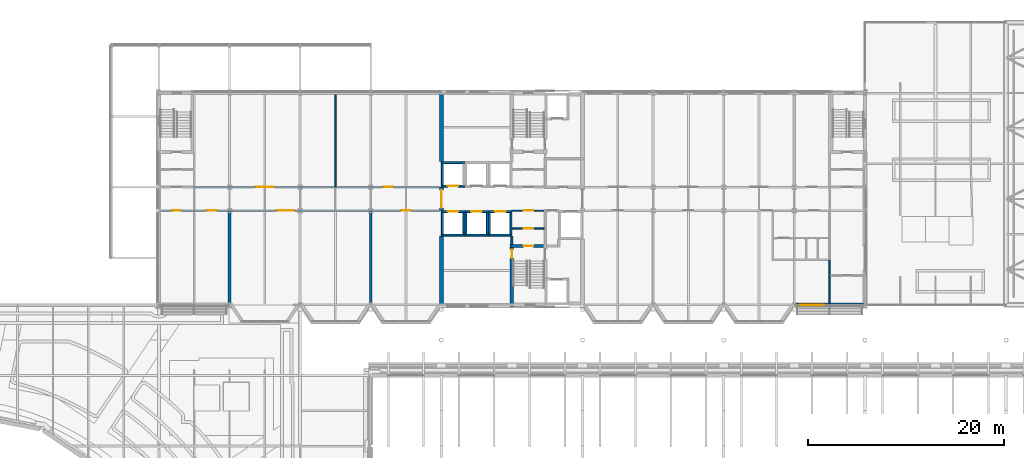
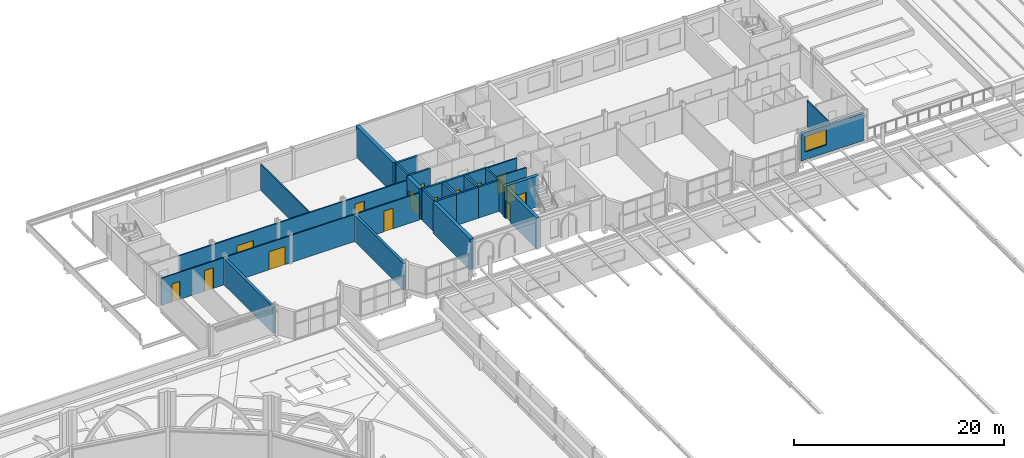
# One storey, part 41 of 110: 30 walls, 15 doors, 1 window, 16 openings.
"""IFC4 building model written with IfcOpenShell, lengths in metres."""

from ifc_helpers import new_model, si_unit, direction, frame, frame_2d, origin, place, context, subcontext, project, spatial, rectangle, extrude, material, layer, layer_set, type_object, element, fill, save


model = new_model("IFC4")

# Units and contexts
model_context = context("Model", 3, precision=1e-05, world=origin(), true_north=direction((0.0, 1.0)))
body_context = subcontext(model_context, "Body", "Model", "MODEL_VIEW")
ifc_project = project(units=[si_unit("LENGTHUNIT", "METRE"), si_unit("AREAUNIT", "SQUARE_METRE"), si_unit("VOLUMEUNIT", "CUBIC_METRE"), si_unit("PLANEANGLEUNIT", "RADIAN"), si_unit("MASSUNIT", "GRAM", prefix="KILO")], contexts=[model_context])

# Site, building, storey
site_placement = place(None, origin())
site = spatial("IfcSite", under=ifc_project, at=site_placement, CompositionType="ELEMENT")
building_placement = place(site_placement, origin())
building = spatial("IfcBuilding", under=site, at=building_placement, Name="Kupolbacken Congress Centre", CompositionType="ELEMENT")
storey_placement = place(building_placement, frame((0.0, 0.0, 18.0)))
storey = spatial("IfcBuildingStorey", under=building, at=storey_placement, Name="L05", CompositionType="ELEMENT", Elevation=18.0)

# Wall, opening, window
ifc_material_1 = material(Name="Brick", Category="masonry")
ifc_layer_1 = layer(ifc_material_1, 0.10791015625)
ifc_material_2 = material(Name="Air cavity", Category="air")
ifc_layer_2 = layer(ifc_material_2, 0.050048828125, ventilated=True)
ifc_material_3 = material(Name="Mineral wool", Category="insulation")
ifc_layer_3 = layer(ifc_material_3, 0.1298828125)
ifc_material_4 = material(Name="Steel studs", Category="metal")
ifc_layer_4 = layer(ifc_material_4, 0.052001953125)
ifc_layer_set_1 = layer_set([ifc_layer_1, ifc_layer_2, ifc_layer_3, ifc_layer_4], Name="Brick / Mineral wool / Steel studs")
wall_type_1 = type_object("IfcWallType", Name="EW02 external cavity wall 340", PredefinedType="SOLIDWALL", material=ifc_layer_set_1)
wall_1_placement = place(storey_placement, frame((129.75341796875, 122.39990234375, 0.0), z_axis=(0.0, 0.0, 1.0), x_axis=(1.0, 0.0, 0.0)))
wall_1 = element("IfcWall", 1, at=wall_1_placement, inside=storey, type_object=wall_type_1, Name="E/T/S/L05/076", PredefinedType="SOLIDWALL", context=body_context, shape_type="SweptSolid", body=[
    extrude(rectangle(XDim=6.896484375, YDim=0.340087890625, at=frame_2d((3.4482421875, 0.0))), origin(), (0.0, 0.0, 1.0), 3.159912109375),
])
opening_1_placement = place(wall_1_placement, frame((0.446533203125, 0.0, 0.89990234375)))
opening_1 = element("IfcOpeningElement", 2, at=opening_1_placement, cuts=wall_1, Name="Opening W8", PredefinedType="OPENING", context=body_context, shape_type="SweptSolid", body=[
    extrude(rectangle(XDim=2.39990234375, YDim=1.800048828125, at=frame_2d((1.199951171875, 0.89990234375))), frame((0.0, 0.179931640625, 0.0), z_axis=(0.0, -1.0, 0.0), x_axis=(1.0, 0.0, 0.0)), (0.0, 0.0, 1.0), 0.360107421875),
])
ifc_material_5 = material(Name="Aluminium frame with double or triple glazing", Category="aluminium")
window_type = type_object("IfcWindowType", Name="W8 window 2400x1800", PartitioningType="DOUBLE_PANEL_VERTICAL", PredefinedType="WINDOW", material=ifc_material_5)
window_placement = place(opening_1_placement, origin())
window = element("IfcWindow", 3, at=window_placement, inside=storey, type_object=window_type, Name="E/T/S/L05/076/W1", OverallHeight=1.800048828125, OverallWidth=2.39990234375, PartitioningType="SINGLE_PANEL", PredefinedType="WINDOW", context=body_context, shape_type="SweptSolid", body=[
    extrude(rectangle(XDim=2.39990234375, YDim=1.800048828125, at=frame_2d((1.199951171875, 0.89990234375))), frame((0.0, 0.030029296875, 0.0), z_axis=(0.0, -1.0, 0.0), x_axis=(1.0, 0.0, 0.0)), (0.0, 0.0, 1.0), 0.06005859375),
])
fill(opening_1, window)

# Wall, openings, doors
ifc_material_6 = material(Name="Gypsum board", Category="drywall")
ifc_layer_5 = layer(ifc_material_6, 0.135009765625)
ifc_layer_set_2 = layer_set([ifc_layer_5], Name="Gypsum board")
wall_type_2 = type_object("IfcWallType", Name="P06 compartment wall 135", PredefinedType="PARTITIONING", material=ifc_layer_set_2)
wall_2_placement = place(storey_placement, frame((64.969970703125, 132.0, 0.0), z_axis=(0.0, 0.0, 1.0), x_axis=(1.0, 0.0, 0.0)))
wall_2 = element("IfcWall", 4, at=wall_2_placement, inside=storey, type_object=wall_type_2, Name="T/wall/L05/x/13200/6480", PredefinedType="PARTITIONING", context=body_context, shape_type="SweptSolid", body=[
    extrude(rectangle(XDim=28.429931640625, YDim=0.135009765625, at=frame_2d((14.21484375, 0.0))), origin(), (0.0, 0.0, 1.0), 3.159912109375),
])
opening_2_placement = place(wall_2_placement, frame((1.205078125, 0.0, 0.0)))
opening_2 = element("IfcOpeningElement", 5, at=opening_2_placement, cuts=wall_2, Name="Opening D3", PredefinedType="OPENING", context=body_context, shape_type="SweptSolid", body=[
    extrude(rectangle(XDim=0.85009765625, YDim=2.10009765625, at=frame_2d((0.425048828125, 1.050048828125))), frame((0.0, 0.077392578125, 0.0), z_axis=(0.0, -1.0, 0.0), x_axis=(1.0, 0.0, 0.0)), (0.0, 0.0, 1.0), 0.155029296875),
])
opening_3_placement = place(wall_2_placement, frame((11.830078125, 0.0, 0.0)))
opening_3 = element("IfcOpeningElement", 6, at=opening_3_placement, cuts=wall_2, Name="Opening D14", PredefinedType="OPENING", context=body_context, shape_type="SweptSolid", body=[
    extrude(rectangle(XDim=1.800048828125, YDim=2.10009765625, at=frame_2d((0.89990234375, 1.050048828125))), frame((0.0, 0.077392578125, 0.0), z_axis=(0.0, -1.0, 0.0), x_axis=(1.0, 0.0, 0.0)), (0.0, 0.0, 1.0), 0.155029296875),
])
opening_4_placement = place(wall_2_placement, frame((24.530029296875, 0.0, 0.0)))
opening_4 = element("IfcOpeningElement", 7, at=opening_4_placement, cuts=wall_2, Name="Opening D8", PredefinedType="OPENING", context=body_context, shape_type="SweptSolid", body=[
    extrude(rectangle(XDim=1.0, YDim=2.39990234375, at=frame_2d((0.5, 1.199951171875))), frame((0.0, 0.077392578125, 0.0), z_axis=(0.0, -1.0, 0.0), x_axis=(1.0, 0.0, 0.0)), (0.0, 0.0, 1.0), 0.155029296875),
])
opening_5_placement = place(wall_2_placement, frame((4.72998046875, 0.0, 0.0)))
opening_5 = element("IfcOpeningElement", 8, at=opening_5_placement, cuts=wall_2, Name="Opening D8", PredefinedType="OPENING", context=body_context, shape_type="SweptSolid", body=[
    extrude(rectangle(XDim=1.0, YDim=2.39990234375, at=frame_2d((0.5, 1.199951171875))), frame((0.0, 0.077392578125, 0.0), z_axis=(0.0, -1.0, 0.0), x_axis=(1.0, 0.0, 0.0)), (0.0, 0.0, 1.0), 0.155029296875),
])
ifc_material_7 = material(Name="Steel fire door leaf", Category="steel")
door_type_1 = type_object("IfcDoorType", Name="D14 fire door 1800x2100", OperationType="DOUBLE_DOOR_SINGLE_SWING", PredefinedType="DOOR", material=ifc_material_7)
door_1_placement = place(opening_3_placement, frame((1.800048828125, 0.0, 0.0), z_axis=(0.0, 0.0, 1.0), x_axis=(-1.0, 0.0, 0.0)))
door_1 = element("IfcDoor", 9, at=door_1_placement, inside=storey, type_object=door_type_1, Name="T/wall/L05/x/13200/6480/D-SE1-S1", OperationType="DOUBLE_DOOR_SINGLE_SWING", OverallHeight=2.10009765625, OverallWidth=1.800048828125, PredefinedType="DOOR", context=body_context, shape_type="SweptSolid", body=[
    extrude(rectangle(XDim=1.800048828125, YDim=2.10009765625, at=frame_2d((0.89990234375, 1.050048828125))), frame((0.0, 0.02490234375, 0.0), z_axis=(0.0, -1.0, 0.0), x_axis=(1.0, 0.0, 0.0)), (0.0, 0.0, 1.0), 0.050048828125),
])
fill(opening_3, door_1)
ifc_material_8 = material(Name="Steel fire door leaf", Category="steel")
door_type_2 = type_object("IfcDoorType", Name="D3 fire door 850x2100", OperationType="SINGLE_SWING_LEFT", PredefinedType="DOOR", material=ifc_material_8)
door_2_placement = place(opening_2_placement, frame((0.85009765625, 0.0, 0.0), z_axis=(0.0, 0.0, 1.0), x_axis=(-1.0, 0.0, 0.0)))
door_2 = element("IfcDoor", 10, at=door_2_placement, inside=storey, type_object=door_type_2, Name="T/wall/L05/x/13200/6480/D-WE-D", OperationType="SINGLE_SWING_LEFT", OverallHeight=2.10009765625, OverallWidth=0.85009765625, PredefinedType="DOOR", context=body_context, shape_type="SweptSolid", body=[
    extrude(rectangle(XDim=0.85009765625, YDim=2.10009765625, at=frame_2d((0.425048828125, 1.050048828125))), frame((0.0, 0.02490234375, 0.0), z_axis=(0.0, -1.0, 0.0), x_axis=(1.0, 0.0, 0.0)), (0.0, 0.0, 1.0), 0.050048828125),
])
fill(opening_2, door_2)
ifc_material_9 = material(Name="Steel fire door leaf", Category="steel")
door_type_3 = type_object("IfcDoorType", Name="D8 fire door 1000x2400", OperationType="SINGLE_SWING_LEFT", PredefinedType="DOOR", material=ifc_material_9)
door_3_placement = place(opening_4_placement, origin())
door_3 = element("IfcDoor", 11, at=door_3_placement, inside=storey, type_object=door_type_3, Name="T/wall/L05/x/13200/6480/D-MR1-S1", OperationType="SINGLE_SWING_LEFT", OverallHeight=2.39990234375, OverallWidth=1.0, PredefinedType="DOOR", context=body_context, shape_type="SweptSolid", body=[
    extrude(rectangle(XDim=1.0, YDim=2.39990234375, at=frame_2d((0.5, 1.199951171875))), frame((0.0, 0.02490234375, 0.0), z_axis=(0.0, -1.0, 0.0), x_axis=(1.0, 0.0, 0.0)), (0.0, 0.0, 1.0), 0.050048828125),
])
fill(opening_4, door_3)
door_4_placement = place(opening_5_placement, frame((1.0, 0.0, 0.0), z_axis=(0.0, 0.0, 1.0), x_axis=(-1.0, 0.0, 0.0)))
door_4 = element("IfcDoor", 12, at=door_4_placement, inside=storey, type_object=door_type_3, Name="T/wall/L05/x/13200/6480/D-IP1-S1", OperationType="SINGLE_SWING_RIGHT", OverallHeight=2.39990234375, OverallWidth=1.0, PredefinedType="DOOR", context=body_context, shape_type="SweptSolid", body=[
    extrude(rectangle(XDim=1.0, YDim=2.39990234375, at=frame_2d((0.5, 1.199951171875))), frame((0.0, 0.02490234375, 0.0), z_axis=(0.0, -1.0, 0.0), x_axis=(1.0, 0.0, 0.0)), (0.0, 0.0, 1.0), 0.050048828125),
])
fill(opening_5, door_4)

wall_3_placement = place(storey_placement, frame((68.330078125, 134.39990234375, 0.0), z_axis=(0.0, 0.0, 1.0), x_axis=(1.0, 0.0, 0.0)))
wall_3 = element("IfcWall", 13, at=wall_3_placement, inside=storey, type_object=wall_type_2, Name="T/wall/L05/x/13440/6840", PredefinedType="PARTITIONING", context=body_context, shape_type="SweptSolid", body=[
    extrude(rectangle(XDim=25.06982421875, YDim=0.135009765625, at=frame_2d((12.534912109375, 0.0))), origin(), (0.0, 0.0, 1.0), 3.159912109375),
])
opening_6_placement = place(wall_3_placement, frame((6.3701171875, 0.0, 0.0)))
opening_6 = element("IfcOpeningElement", 14, at=opening_6_placement, cuts=wall_3, Name="Opening D14", PredefinedType="OPENING", context=body_context, shape_type="SweptSolid", body=[
    extrude(rectangle(XDim=1.800048828125, YDim=2.10009765625, at=frame_2d((0.89990234375, 1.050048828125))), frame((0.0, 0.077392578125, 0.0), z_axis=(0.0, -1.0, 0.0), x_axis=(1.0, 0.0, 0.0)), (0.0, 0.0, 1.0), 0.155029296875),
])
opening_7_placement = place(wall_3_placement, frame((19.3701171875, 0.0, 0.0)))
opening_7 = element("IfcOpeningElement", 15, at=opening_7_placement, cuts=wall_3, Name="Opening D8", PredefinedType="OPENING", context=body_context, shape_type="SweptSolid", body=[
    extrude(rectangle(XDim=1.0, YDim=2.39990234375, at=frame_2d((0.5, 1.199951171875))), frame((0.0, 0.077392578125, 0.0), z_axis=(0.0, -1.0, 0.0), x_axis=(1.0, 0.0, 0.0)), (0.0, 0.0, 1.0), 0.155029296875),
])
door_5_placement = place(opening_6_placement, origin())
door_5 = element("IfcDoor", 16, at=door_5_placement, inside=storey, type_object=door_type_1, Name="T/wall/L05/x/13440/6840/D-SE2-S1", OperationType="DOUBLE_DOOR_SINGLE_SWING", OverallHeight=2.10009765625, OverallWidth=1.800048828125, PredefinedType="DOOR", context=body_context, shape_type="SweptSolid", body=[
    extrude(rectangle(XDim=1.800048828125, YDim=2.10009765625, at=frame_2d((0.89990234375, 1.050048828125))), frame((0.0, 0.02490234375, 0.0), z_axis=(0.0, -1.0, 0.0), x_axis=(1.0, 0.0, 0.0)), (0.0, 0.0, 1.0), 0.050048828125),
])
fill(opening_6, door_5)
door_6_placement = place(opening_7_placement, origin())
door_6 = element("IfcDoor", 17, at=door_6_placement, inside=storey, type_object=door_type_3, Name="T/wall/L05/x/13440/6840/D-SE3-S1", OperationType="SINGLE_SWING_LEFT", OverallHeight=2.39990234375, OverallWidth=1.0, PredefinedType="DOOR", context=body_context, shape_type="SweptSolid", body=[
    extrude(rectangle(XDim=1.0, YDim=2.39990234375, at=frame_2d((0.5, 1.199951171875))), frame((0.0, 0.02490234375, 0.0), z_axis=(0.0, -1.0, 0.0), x_axis=(1.0, 0.0, 0.0)), (0.0, 0.0, 1.0), 0.050048828125),
])
fill(opening_7, door_6)

# Walls
wall_4_placement = place(storey_placement, frame((82.800048828125, 134.467529296875, 0.0), z_axis=(0.0, 0.0, 1.0), x_axis=(0.0, 1.0, 0.0)))
element("IfcWall", 18, at=wall_4_placement, inside=storey, type_object=wall_type_2, Name="T/wall/L05/y/8280/13440", PredefinedType="PARTITIONING", context=body_context, shape_type="SweptSolid", body=[
    extrude(rectangle(XDim=9.362548828125, YDim=0.135009765625, at=frame_2d((4.68115234375, 0.0))), origin(), (0.0, 0.0, 1.0), 3.06005859375),
])
wall_5_placement = place(storey_placement, frame((133.199951171875, 122.570068359375, 0.0), z_axis=(0.0, 0.0, 1.0), x_axis=(0.0, 1.0, 0.0)))
element("IfcWall", 19, at=wall_5_placement, inside=storey, type_object=wall_type_2, Name="T/wall/L05/y/13320/12240", PredefinedType="PARTITIONING", context=body_context, shape_type="SweptSolid", body=[
    extrude(rectangle(XDim=4.372314453125, YDim=0.135009765625, at=frame_2d((2.18603515625, 0.0))), origin(), (0.0, 0.0, 1.0), 3.06005859375),
])
ifc_material_10 = material(Name="Gypsum board", Category="drywall")
ifc_layer_6 = layer(ifc_material_10, 0.27490234375)
ifc_layer_set_3 = layer_set([ifc_layer_6], Name="Gypsum board")
wall_type_3 = type_object("IfcWallType", Name="P12 partition 275", PredefinedType="PARTITIONING", material=ifc_layer_set_3)
wall_6_placement = place(storey_placement, frame((72.0, 122.570068359375, 0.0), z_axis=(0.0, 0.0, 1.0), x_axis=(0.0, 1.0, 0.0)))
element("IfcWall", 20, at=wall_6_placement, inside=storey, type_object=wall_type_3, Name="T/wall/L05/y/7200/12240", PredefinedType="PARTITIONING", context=body_context, shape_type="SweptSolid", body=[
    extrude(rectangle(XDim=9.362548828125, YDim=0.27490234375, at=frame_2d((4.68115234375, 0.0))), origin(), (0.0, 0.0, 1.0), 3.06005859375),
])
wall_7_placement = place(storey_placement, frame((86.39990234375, 122.60009765625, 0.0), z_axis=(0.0, 0.0, 1.0), x_axis=(0.0, 1.0, 0.0)))
element("IfcWall", 21, at=wall_7_placement, inside=storey, type_object=wall_type_3, Name="T/wall/L05/y/8640/12080", PredefinedType="PARTITIONING", context=body_context, shape_type="SweptSolid", body=[
    extrude(rectangle(XDim=9.33251953125, YDim=0.27490234375, at=frame_2d((4.666259765625, 0.0))), origin(), (0.0, 0.0, 1.0), 3.06005859375),
])

# Wall, opening, door
ifc_material_11 = material(Name="Aerated concrete block", Category="masonry")
ifc_layer_7 = layer(ifc_material_11, 0.139892578125)
ifc_layer_set_4 = layer_set([ifc_layer_7], Name="Aerated concrete block")
wall_type_4 = type_object("IfcWallType", Name="P14 compartment wall 140", PredefinedType="PARTITIONING", material=ifc_layer_set_4)
wall_8_placement = place(storey_placement, frame((100.800048828125, 130.199951171875, 0.0), z_axis=(0.0, 0.0, 1.0), x_axis=(1.0, 0.0, 0.0)))
wall_8 = element("IfcWall", 22, at=wall_8_placement, inside=storey, type_object=wall_type_4, Name="T/wall/L05/x/13020/10080", PredefinedType="PARTITIONING", context=body_context, shape_type="SweptSolid", body=[
    extrude(rectangle(XDim=3.300048828125, YDim=0.139892578125, at=frame_2d((1.64990234375, 0.0))), origin(), (0.0, 0.0, 1.0), 3.4599609375),
])
opening_8_placement = place(wall_8_placement, frame((1.199951171875, 0.0, 0.0)))
opening_8 = element("IfcOpeningElement", 23, at=opening_8_placement, cuts=wall_8, Name="Opening D5", PredefinedType="OPENING", context=body_context, shape_type="SweptSolid", body=[
    extrude(rectangle(XDim=1.0, YDim=2.10009765625, at=frame_2d((0.5, 1.050048828125))), frame((0.0, 0.079833984375, 0.0), z_axis=(0.0, -1.0, 0.0), x_axis=(1.0, 0.0, 0.0)), (0.0, 0.0, 1.0), 0.159912109375),
])
ifc_material_12 = material(Name="Steel fire door leaf", Category="steel")
door_type_4 = type_object("IfcDoorType", Name="D5 stair door 1000x2100", OperationType="SINGLE_SWING_LEFT", PredefinedType="DOOR", material=ifc_material_12)
door_7_placement = place(opening_8_placement, frame((1.0, 0.0, 0.0), z_axis=(0.0, 0.0, 1.0), x_axis=(-1.0, 0.0, 0.0)))
door_7 = element("IfcDoor", 24, at=door_7_placement, inside=storey, type_object=door_type_4, Name="T/wall/L05/x/13020/10080/D-TS1-LK2", OperationType="SINGLE_SWING_RIGHT", OverallHeight=2.10009765625, OverallWidth=1.0, PredefinedType="DOOR", context=body_context, shape_type="SweptSolid", body=[
    extrude(rectangle(XDim=1.0, YDim=2.10009765625, at=frame_2d((0.5, 1.050048828125))), frame((0.0, 0.02490234375, 0.0), z_axis=(0.0, -1.0, 0.0), x_axis=(1.0, 0.0, 0.0)), (0.0, 0.0, 1.0), 0.050048828125),
])
fill(opening_8, door_7)

wall_9_placement = place(storey_placement, frame((100.800048828125, 132.0, 0.0), z_axis=(0.0, 0.0, 1.0), x_axis=(1.0, 0.0, 0.0)))
wall_9 = element("IfcWall", 25, at=wall_9_placement, inside=storey, type_object=wall_type_4, Name="T/wall/L05/x/13200/10080", PredefinedType="PARTITIONING", context=body_context, shape_type="SweptSolid", body=[
    extrude(rectangle(XDim=3.300048828125, YDim=0.139892578125, at=frame_2d((1.64990234375, 0.0))), origin(), (0.0, 0.0, 1.0), 3.4599609375),
])
opening_9_placement = place(wall_9_placement, frame((1.199951171875, 0.0, 0.0)))
opening_9 = element("IfcOpeningElement", 26, at=opening_9_placement, cuts=wall_9, Name="Opening D5", PredefinedType="OPENING", context=body_context, shape_type="SweptSolid", body=[
    extrude(rectangle(XDim=1.0, YDim=2.10009765625, at=frame_2d((0.5, 1.050048828125))), frame((0.0, 0.079833984375, 0.0), z_axis=(0.0, -1.0, 0.0), x_axis=(1.0, 0.0, 0.0)), (0.0, 0.0, 1.0), 0.159912109375),
])
door_8_placement = place(opening_9_placement, origin())
door_8 = element("IfcDoor", 27, at=door_8_placement, inside=storey, type_object=door_type_4, Name="T/wall/L05/x/13200/10080/D-TS1-LK3", OperationType="SINGLE_SWING_LEFT", OverallHeight=2.10009765625, OverallWidth=1.0, PredefinedType="DOOR", context=body_context, shape_type="SweptSolid", body=[
    extrude(rectangle(XDim=1.0, YDim=2.10009765625, at=frame_2d((0.5, 1.050048828125))), frame((0.0, 0.02490234375, 0.0), z_axis=(0.0, -1.0, 0.0), x_axis=(1.0, 0.0, 0.0)), (0.0, 0.0, 1.0), 0.050048828125),
])
fill(opening_9, door_8)

# Walls
ifc_material_13 = material(Name="Concrete C40/50", Category="concrete")
ifc_layer_8 = layer(ifc_material_13, 0.199951171875)
ifc_layer_set_5 = layer_set([ifc_layer_8], Name="Concrete C40/50")
wall_type_5 = type_object("IfcWallType", Name="WC1 RC shaft wall 200", PredefinedType="SHEAR", material=ifc_layer_set_5)
wall_10_placement = place(storey_placement, frame((100.800048828125, 128.574951171875, 0.0), z_axis=(0.0, 0.0, 1.0), x_axis=(0.0, 1.0, 0.0)))
element("IfcWall", 28, at=wall_10_placement, inside=storey, type_object=wall_type_5, Name="Shaft wall L05-091", PredefinedType="SHEAR", context=body_context, shape_type="SweptSolid", body=[
    extrude(rectangle(XDim=0.824951171875, YDim=0.199951171875, at=frame_2d((0.41259765625, 0.0))), origin(), (0.0, 0.0, 1.0), 3.60009765625),
])
wall_11_placement = place(storey_placement, frame((93.60009765625, 129.5, 0.0), z_axis=(0.0, 0.0, 1.0), x_axis=(1.0, 0.0, 0.0)))
element("IfcWall", 29, at=wall_11_placement, inside=storey, type_object=wall_type_5, Name="Shaft wall LP9", PredefinedType="SHEAR", context=body_context, shape_type="SweptSolid", body=[
    extrude(rectangle(XDim=2.39990234375, YDim=0.199951171875, at=frame_2d((1.199951171875, 0.0))), origin(), (0.0, 0.0, 1.0), 3.60009765625),
])

# Wall, opening, door
wall_12_placement = place(storey_placement, frame((93.60009765625, 131.89990234375, 0.0), z_axis=(0.0, 0.0, 1.0), x_axis=(1.0, 0.0, 0.0)))
wall_12 = element("IfcWall", 30, at=wall_12_placement, inside=storey, type_object=wall_type_5, Name="Shaft wall LP9", PredefinedType="SHEAR", context=body_context, shape_type="SweptSolid", body=[
    extrude(rectangle(XDim=2.39990234375, YDim=0.199951171875, at=frame_2d((1.199951171875, 0.0))), origin(), (0.0, 0.0, 1.0), 3.60009765625),
])
opening_10_placement = place(wall_12_placement, frame((0.64990234375, 0.0, 0.0)))
opening_10 = element("IfcOpeningElement", 31, at=opening_10_placement, cuts=wall_12, Name="Opening LD2", PredefinedType="OPENING", context=body_context, shape_type="SweptSolid", body=[
    extrude(rectangle(XDim=1.10009765625, YDim=2.10009765625, at=frame_2d((0.550048828125, 1.050048828125))), frame((0.0, 0.10986328125, 0.0), z_axis=(0.0, -1.0, 0.0), x_axis=(1.0, 0.0, 0.0)), (0.0, 0.0, 1.0), 0.219970703125),
])
ifc_material_14 = material(Name="Stainless steel door leaf", Category="steel")
door_type_5 = type_object("IfcDoorType", Name="LD2 lift landing door 1100x2100", OperationType="SLIDING_TO_LEFT", PredefinedType="DOOR", material=ifc_material_14)
door_9_placement = place(opening_10_placement, origin())
door_9 = element("IfcDoor", 32, at=door_9_placement, inside=storey, type_object=door_type_5, Name="Lift landing door LP9", OperationType="SLIDING_TO_LEFT", OverallHeight=2.10009765625, OverallWidth=1.10009765625, PredefinedType="DOOR", context=body_context, shape_type="SweptSolid", body=[
    extrude(rectangle(XDim=1.10009765625, YDim=2.10009765625, at=frame_2d((0.550048828125, 1.050048828125))), frame((0.0, 0.02490234375, 0.0), z_axis=(0.0, -1.0, 0.0), x_axis=(1.0, 0.0, 0.0)), (0.0, 0.0, 1.0), 0.050048828125),
])
fill(opening_10, door_9)

# Walls
for number, where, z_axis, x_axis, name in (
    (33, (93.699951171875, 129.60009765625, 0.0), (0.0, 0.0, 1.0), (0.0, 1.0, 0.0), "Shaft wall LP9"),
    (34, (95.89990234375, 129.60009765625, 0.0), (0.0, 0.0, 1.0), (0.0, 1.0, 0.0), "Shaft wall LP9"),
):
    element("IfcWall", number, at=place(storey_placement, frame(where, z_axis=z_axis, x_axis=x_axis)), inside=storey, type_object=wall_type_5, Name=name, PredefinedType="SHEAR", context=body_context, shape_type="SweptSolid", body=[
        extrude(rectangle(XDim=2.199951171875, YDim=0.199951171875, at=frame_2d((1.10009765625, 0.0))), origin(), (0.0, 0.0, 1.0), 3.60009765625),
    ])
wall_13_placement = place(storey_placement, frame((96.0, 129.5, 0.0), z_axis=(0.0, 0.0, 1.0), x_axis=(1.0, 0.0, 0.0)))
element("IfcWall", 35, at=wall_13_placement, inside=storey, type_object=wall_type_5, Name="Shaft wall LP10", PredefinedType="SHEAR", context=body_context, shape_type="SweptSolid", body=[
    extrude(rectangle(XDim=2.39990234375, YDim=0.199951171875, at=frame_2d((1.199951171875, 0.0))), origin(), (0.0, 0.0, 1.0), 3.60009765625),
])

# Wall, opening, door
wall_14_placement = place(storey_placement, frame((96.0, 131.89990234375, 0.0), z_axis=(0.0, 0.0, 1.0), x_axis=(1.0, 0.0, 0.0)))
wall_14 = element("IfcWall", 36, at=wall_14_placement, inside=storey, type_object=wall_type_5, Name="Shaft wall LP10", PredefinedType="SHEAR", context=body_context, shape_type="SweptSolid", body=[
    extrude(rectangle(XDim=2.39990234375, YDim=0.199951171875, at=frame_2d((1.199951171875, 0.0))), origin(), (0.0, 0.0, 1.0), 3.60009765625),
])
opening_11_placement = place(wall_14_placement, frame((0.64990234375, 0.0, 0.0)))
opening_11 = element("IfcOpeningElement", 37, at=opening_11_placement, cuts=wall_14, Name="Opening LD2", PredefinedType="OPENING", context=body_context, shape_type="SweptSolid", body=[
    extrude(rectangle(XDim=1.10009765625, YDim=2.10009765625, at=frame_2d((0.550048828125, 1.050048828125))), frame((0.0, 0.10986328125, 0.0), z_axis=(0.0, -1.0, 0.0), x_axis=(1.0, 0.0, 0.0)), (0.0, 0.0, 1.0), 0.219970703125),
])
door_10_placement = place(opening_11_placement, origin())
door_10 = element("IfcDoor", 38, at=door_10_placement, inside=storey, type_object=door_type_5, Name="Lift landing door LP10", OperationType="SLIDING_TO_LEFT", OverallHeight=2.10009765625, OverallWidth=1.10009765625, PredefinedType="DOOR", context=body_context, shape_type="SweptSolid", body=[
    extrude(rectangle(XDim=1.10009765625, YDim=2.10009765625, at=frame_2d((0.550048828125, 1.050048828125))), frame((0.0, 0.02490234375, 0.0), z_axis=(0.0, -1.0, 0.0), x_axis=(1.0, 0.0, 0.0)), (0.0, 0.0, 1.0), 0.050048828125),
])
fill(opening_11, door_10)

# Walls
for number, where, z_axis, x_axis, name in (
    (39, (96.10009765625, 129.60009765625, 0.0), (0.0, 0.0, 1.0), (0.0, 1.0, 0.0), "Shaft wall LP10"),
    (40, (98.300048828125, 129.60009765625, 0.0), (0.0, 0.0, 1.0), (0.0, 1.0, 0.0), "Shaft wall LP10"),
):
    element("IfcWall", number, at=place(storey_placement, frame(where, z_axis=z_axis, x_axis=x_axis)), inside=storey, type_object=wall_type_5, Name=name, PredefinedType="SHEAR", context=body_context, shape_type="SweptSolid", body=[
        extrude(rectangle(XDim=2.199951171875, YDim=0.199951171875, at=frame_2d((1.10009765625, 0.0))), origin(), (0.0, 0.0, 1.0), 3.60009765625),
    ])
wall_15_placement = place(storey_placement, frame((98.39990234375, 129.5, 0.0), z_axis=(0.0, 0.0, 1.0), x_axis=(1.0, 0.0, 0.0)))
element("IfcWall", 41, at=wall_15_placement, inside=storey, type_object=wall_type_5, Name="Shaft wall LP11", PredefinedType="SHEAR", context=body_context, shape_type="SweptSolid", body=[
    extrude(rectangle(XDim=2.400146484375, YDim=0.199951171875, at=frame_2d((1.2001953125, 0.0))), origin(), (0.0, 0.0, 1.0), 3.60009765625),
])

# Wall, opening, door
wall_16_placement = place(storey_placement, frame((98.39990234375, 131.89990234375, 0.0), z_axis=(0.0, 0.0, 1.0), x_axis=(1.0, 0.0, 0.0)))
wall_16 = element("IfcWall", 42, at=wall_16_placement, inside=storey, type_object=wall_type_5, Name="Shaft wall LP11", PredefinedType="SHEAR", context=body_context, shape_type="SweptSolid", body=[
    extrude(rectangle(XDim=2.400146484375, YDim=0.199951171875, at=frame_2d((1.2001953125, 0.0))), origin(), (0.0, 0.0, 1.0), 3.60009765625),
])
opening_12_placement = place(wall_16_placement, frame((0.64990234375, 0.0, 0.0)))
opening_12 = element("IfcOpeningElement", 43, at=opening_12_placement, cuts=wall_16, Name="Opening LD2", PredefinedType="OPENING", context=body_context, shape_type="SweptSolid", body=[
    extrude(rectangle(XDim=1.10009765625, YDim=2.10009765625, at=frame_2d((0.550048828125, 1.050048828125))), frame((0.0, 0.10986328125, 0.0), z_axis=(0.0, -1.0, 0.0), x_axis=(1.0, 0.0, 0.0)), (0.0, 0.0, 1.0), 0.219970703125),
])
door_11_placement = place(opening_12_placement, origin())
door_11 = element("IfcDoor", 44, at=door_11_placement, inside=storey, type_object=door_type_5, Name="Lift landing door LP11", OperationType="SLIDING_TO_LEFT", OverallHeight=2.10009765625, OverallWidth=1.10009765625, PredefinedType="DOOR", context=body_context, shape_type="SweptSolid", body=[
    extrude(rectangle(XDim=1.10009765625, YDim=2.10009765625, at=frame_2d((0.550048828125, 1.050048828125))), frame((0.0, 0.02490234375, 0.0), z_axis=(0.0, -1.0, 0.0), x_axis=(1.0, 0.0, 0.0)), (0.0, 0.0, 1.0), 0.050048828125),
])
fill(opening_12, door_11)

# Walls
for number, where, z_axis, x_axis, name in (
    (45, (98.5, 129.60009765625, 0.0), (0.0, 0.0, 1.0), (0.0, 1.0, 0.0), "Shaft wall LP11"),
    (46, (100.699951171875, 129.60009765625, 0.0), (0.0, 0.0, 1.0), (0.0, 1.0, 0.0), "Shaft wall LP11"),
):
    element("IfcWall", number, at=place(storey_placement, frame(where, z_axis=z_axis, x_axis=x_axis)), inside=storey, type_object=wall_type_5, Name=name, PredefinedType="SHEAR", context=body_context, shape_type="SweptSolid", body=[
        extrude(rectangle(XDim=2.199951171875, YDim=0.199951171875, at=frame_2d((1.10009765625, 0.0))), origin(), (0.0, 0.0, 1.0), 3.60009765625),
    ])

# Wall, opening, door
wall_17_placement = place(storey_placement, frame((93.60009765625, 134.5, 0.0), z_axis=(0.0, 0.0, 1.0), x_axis=(1.0, 0.0, 0.0)))
wall_17 = element("IfcWall", 47, at=wall_17_placement, inside=storey, type_object=wall_type_5, Name="Shaft wall LP12", PredefinedType="SHEAR", context=body_context, shape_type="SweptSolid", body=[
    extrude(rectangle(XDim=2.39990234375, YDim=0.199951171875, at=frame_2d((1.199951171875, 0.0))), origin(), (0.0, 0.0, 1.0), 3.60009765625),
])
opening_13_placement = place(wall_17_placement, frame((0.64990234375, 0.0, 0.0)))
opening_13 = element("IfcOpeningElement", 48, at=opening_13_placement, cuts=wall_17, Name="Opening LD2", PredefinedType="OPENING", context=body_context, shape_type="SweptSolid", body=[
    extrude(rectangle(XDim=1.10009765625, YDim=2.10009765625, at=frame_2d((0.550048828125, 1.050048828125))), frame((0.0, 0.10986328125, 0.0), z_axis=(0.0, -1.0, 0.0), x_axis=(1.0, 0.0, 0.0)), (0.0, 0.0, 1.0), 0.219970703125),
])
door_12_placement = place(opening_13_placement, origin())
door_12 = element("IfcDoor", 49, at=door_12_placement, inside=storey, type_object=door_type_5, Name="Lift landing door LP12", OperationType="SLIDING_TO_LEFT", OverallHeight=2.10009765625, OverallWidth=1.10009765625, PredefinedType="DOOR", context=body_context, shape_type="SweptSolid", body=[
    extrude(rectangle(XDim=1.10009765625, YDim=2.10009765625, at=frame_2d((0.550048828125, 1.050048828125))), frame((0.0, 0.02490234375, 0.0), z_axis=(0.0, -1.0, 0.0), x_axis=(1.0, 0.0, 0.0)), (0.0, 0.0, 1.0), 0.050048828125),
])
fill(opening_13, door_12)

# Walls
wall_18_placement = place(storey_placement, frame((93.60009765625, 136.89990234375, 0.0), z_axis=(0.0, 0.0, 1.0), x_axis=(1.0, 0.0, 0.0)))
element("IfcWall", 50, at=wall_18_placement, inside=storey, type_object=wall_type_5, Name="Shaft wall LP12", PredefinedType="SHEAR", context=body_context, shape_type="SweptSolid", body=[
    extrude(rectangle(XDim=2.39990234375, YDim=0.199951171875, at=frame_2d((1.199951171875, 0.0))), origin(), (0.0, 0.0, 1.0), 3.60009765625),
])
wall_19_placement = place(storey_placement, frame((93.699951171875, 134.60009765625, 0.0), z_axis=(0.0, 0.0, 1.0), x_axis=(0.0, 1.0, 0.0)))
element("IfcWall", 51, at=wall_19_placement, inside=storey, type_object=wall_type_5, Name="Shaft wall LP12", PredefinedType="SHEAR", context=body_context, shape_type="SweptSolid", body=[
    extrude(rectangle(XDim=2.199951171875, YDim=0.199951171875, at=frame_2d((1.10009765625, 0.0))), origin(), (0.0, 0.0, 1.0), 3.60009765625),
])

# Wall, opening, door
ifc_material_15 = material(Name="Concrete C40/50", Category="concrete")
ifc_layer_9 = layer(ifc_material_15, 0.35009765625)
ifc_layer_set_6 = layer_set([ifc_layer_9], Name="Concrete C40/50")
wall_type_6 = type_object("IfcWallType", Name="WC4 RC core wall 350", PredefinedType="SHEAR", material=ifc_layer_set_6)
wall_20_placement = place(storey_placement, frame((100.800048828125, 128.574951171875, 0.0), z_axis=(0.0, 0.0, 1.0), x_axis=(0.0, -1.0, 0.0)))
wall_20 = element("IfcWall", 52, at=wall_20_placement, inside=storey, type_object=wall_type_6, Name="Core wall L05-090", PredefinedType="SHEAR", context=body_context, shape_type="SweptSolid", body=[
    extrude(rectangle(XDim=6.349853515625, YDim=0.35009765625, at=frame_2d((3.1748046875, 0.0))), origin(), (0.0, 0.0, 1.0), 3.60009765625),
])
opening_14_placement = place(wall_20_placement, frame((0.550048828125, 0.0, 0.0)))
opening_14 = element("IfcOpeningElement", 53, at=opening_14_placement, cuts=wall_20, Name="Opening D3", PredefinedType="OPENING", context=body_context, shape_type="SweptSolid", body=[
    extrude(rectangle(XDim=0.85009765625, YDim=2.10009765625, at=frame_2d((0.425048828125, 1.050048828125))), frame((0.0, 0.18505859375, 0.0), z_axis=(0.0, -1.0, 0.0), x_axis=(1.0, 0.0, 0.0)), (0.0, 0.0, 1.0), 0.3701171875),
])
door_13_placement = place(opening_14_placement, origin())
door_13 = element("IfcDoor", 54, at=door_13_placement, inside=storey, type_object=door_type_2, Name="S/core/L05/090/D-TR1-A", OperationType="SINGLE_SWING_RIGHT", OverallHeight=2.10009765625, OverallWidth=0.85009765625, PredefinedType="DOOR", context=body_context, shape_type="SweptSolid", body=[
    extrude(rectangle(XDim=0.85009765625, YDim=2.10009765625, at=frame_2d((0.425048828125, 1.050048828125))), frame((0.0, 0.02490234375, 0.0), z_axis=(0.0, -1.0, 0.0), x_axis=(1.0, 0.0, 0.0)), (0.0, 0.0, 1.0), 0.050048828125),
])
fill(opening_14, door_13)

wall_21_placement = place(storey_placement, frame((104.375, 128.39990234375, 0.0), z_axis=(0.0, 0.0, 1.0), x_axis=(-1.0, 0.0, 0.0)))
wall_21 = element("IfcWall", 55, at=wall_21_placement, inside=storey, type_object=wall_type_6, Name="Core wall L05-092", PredefinedType="SHEAR", context=body_context, shape_type="SweptSolid", body=[
    extrude(rectangle(XDim=3.75, YDim=0.35009765625, at=frame_2d((1.875, 0.0))), origin(), (0.0, 0.0, 1.0), 3.60009765625),
])
opening_15_placement = place(wall_21_placement, frame((1.375, 0.0, 0.0)))
opening_15 = element("IfcOpeningElement", 56, at=opening_15_placement, cuts=wall_21, Name="Opening D5", PredefinedType="OPENING", context=body_context, shape_type="SweptSolid", body=[
    extrude(rectangle(XDim=1.0, YDim=2.10009765625, at=frame_2d((0.5, 1.050048828125))), frame((0.0, 0.18505859375, 0.0), z_axis=(0.0, -1.0, 0.0), x_axis=(1.0, 0.0, 0.0)), (0.0, 0.0, 1.0), 0.3701171875),
])
door_14_placement = place(opening_15_placement, origin())
door_14 = element("IfcDoor", 57, at=door_14_placement, inside=storey, type_object=door_type_4, Name="S/core/L05/092/D-TS1-LK1", OperationType="SINGLE_SWING_LEFT", OverallHeight=2.10009765625, OverallWidth=1.0, PredefinedType="DOOR", context=body_context, shape_type="SweptSolid", body=[
    extrude(rectangle(XDim=1.0, YDim=2.10009765625, at=frame_2d((0.5, 1.050048828125))), frame((0.0, 0.02490234375, 0.0), z_axis=(0.0, -1.0, 0.0), x_axis=(1.0, 0.0, 0.0)), (0.0, 0.0, 1.0), 0.050048828125),
])
fill(opening_15, door_14)

# Wall
ifc_material_16 = material(Name="Concrete C40/50", Category="concrete")
ifc_layer_10 = layer(ifc_material_16, 0.39990234375)
ifc_layer_set_7 = layer_set([ifc_layer_10], Name="Concrete C40/50")
wall_type_7 = type_object("IfcWallType", Name="WC5 RC core wall 400", PredefinedType="SHEAR", material=ifc_layer_set_7)
wall_22_placement = place(storey_placement, frame((93.60009765625, 129.39990234375, 0.0), z_axis=(0.0, 0.0, 1.0), x_axis=(0.0, -1.0, 0.0)))
element("IfcWall", 58, at=wall_22_placement, inside=storey, type_object=wall_type_7, Name="Core wall L05-100", PredefinedType="SHEAR", context=body_context, shape_type="SweptSolid", body=[
    extrude(rectangle(XDim=7.099853515625, YDim=0.39990234375, at=frame_2d((3.5498046875, 0.0))), origin(), (0.0, 0.0, 1.0), 3.60009765625),
])

# Wall, opening, door
wall_23_placement = place(storey_placement, frame((93.60009765625, 132.0, 0.0), z_axis=(0.0, 0.0, 1.0), x_axis=(0.0, 1.0, 0.0)))
wall_23 = element("IfcWall", 59, at=wall_23_placement, inside=storey, type_object=wall_type_7, Name="Core wall L05-108", PredefinedType="SHEAR", context=body_context, shape_type="SweptSolid", body=[
    extrude(rectangle(XDim=2.39990234375, YDim=0.39990234375, at=frame_2d((1.199951171875, 0.0))), origin(), (0.0, 0.0, 1.0), 3.60009765625),
])
opening_16_placement = place(wall_23_placement, frame((0.300048828125, 0.0, 0.0)))
opening_16 = element("IfcOpeningElement", 60, at=opening_16_placement, cuts=wall_23, Name="Opening D14", PredefinedType="OPENING", context=body_context, shape_type="SweptSolid", body=[
    extrude(rectangle(XDim=1.800048828125, YDim=2.10009765625, at=frame_2d((0.89990234375, 1.050048828125))), frame((0.0, 0.2099609375, 0.0), z_axis=(0.0, -1.0, 0.0), x_axis=(1.0, 0.0, 0.0)), (0.0, 0.0, 1.0), 0.419921875),
])
door_15_placement = place(opening_16_placement, origin())
door_15 = element("IfcDoor", 61, at=door_15_placement, inside=storey, type_object=door_type_1, Name="S/core/L05/108/D-CX-W", OperationType="DOUBLE_DOOR_SINGLE_SWING", OverallHeight=2.10009765625, OverallWidth=1.800048828125, PredefinedType="DOOR", context=body_context, shape_type="SweptSolid", body=[
    extrude(rectangle(XDim=1.800048828125, YDim=2.10009765625, at=frame_2d((0.89990234375, 1.050048828125))), frame((0.0, 0.02490234375, 0.0), z_axis=(0.0, -1.0, 0.0), x_axis=(1.0, 0.0, 0.0)), (0.0, 0.0, 1.0), 0.050048828125),
])
fill(opening_16, door_15)

# Wall
wall_24_placement = place(storey_placement, frame((93.60009765625, 144.10009765625, 0.0), z_axis=(0.0, 0.0, 1.0), x_axis=(0.0, -1.0, 0.0)))
element("IfcWall", 62, at=wall_24_placement, inside=storey, type_object=wall_type_7, Name="Core wall L05-126", PredefinedType="SHEAR", context=body_context, shape_type="SweptSolid", body=[
    extrude(rectangle(XDim=7.10009765625, YDim=0.39990234375, at=frame_2d((3.550048828125, 0.0))), origin(), (0.0, 0.0, 1.0), 3.60009765625),
])

save(model, "model.ifc")
